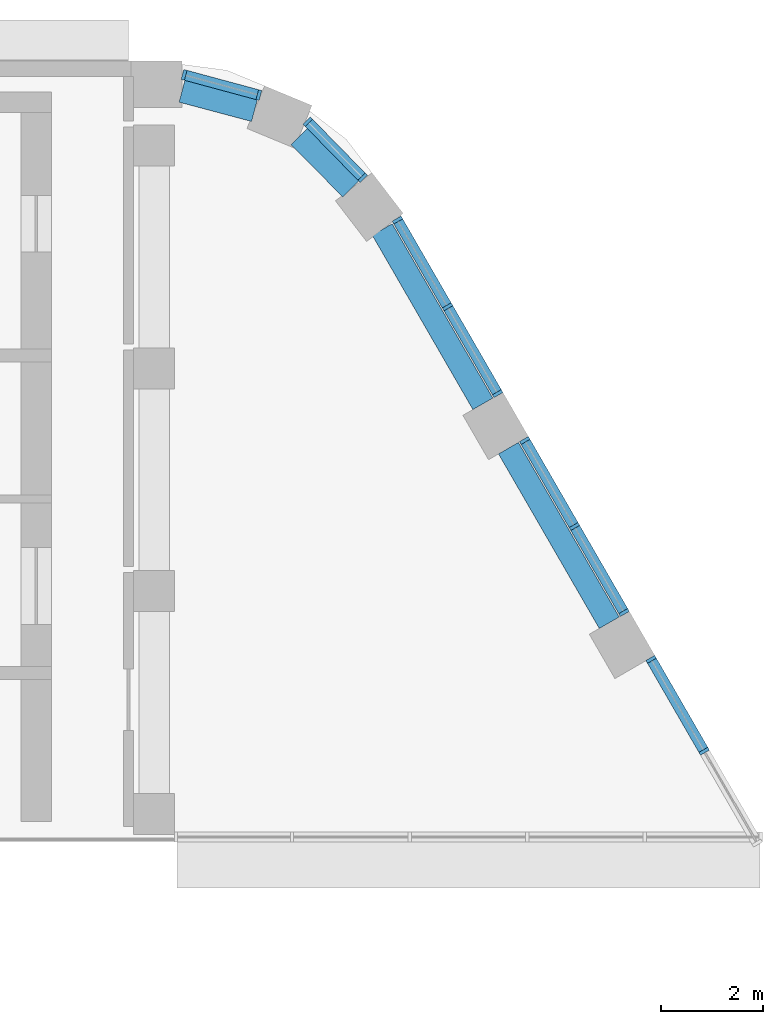
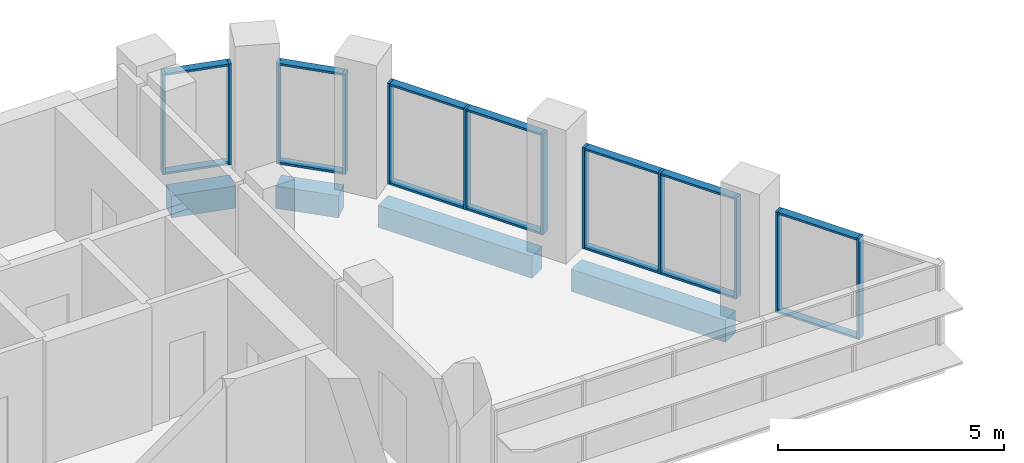
# One storey, part 7 of 15: 26 members, 4 beams, 5 elements without a shape of their own.
"""IFC4 building model written with IfcOpenShell, lengths in metres."""

from ifc_helpers import new_model, si_unit, direction, frame, origin, origin_2d, place, context, subcontext, project, spatial, rectangle, extrude, material, layer, layer_set, material_profile, profile_set, type_object, element, aggregate, save


model = new_model("IFC4")

# Units and contexts
model_context = context("Model", 3, precision=1e-05, world=origin(), true_north=direction((0.0, 1.0)))
body_context = subcontext(model_context, "Body", "Model", "MODEL_VIEW")
ifc_project = project(units=[si_unit("LENGTHUNIT", "METRE"), si_unit("AREAUNIT", "SQUARE_METRE"), si_unit("VOLUMEUNIT", "CUBIC_METRE"), si_unit("PLANEANGLEUNIT", "RADIAN"), si_unit("MASSUNIT", "GRAM", prefix="KILO")], contexts=[model_context])

# Site, building, storey
site_placement = place(None, origin())
site = spatial("IfcSite", under=ifc_project, at=site_placement, CompositionType="ELEMENT")
building_placement = place(site_placement, origin())
building = spatial("IfcBuilding", under=site, at=building_placement, Name="Nakaniwa Court", CompositionType="ELEMENT")
storey_placement = place(building_placement, frame((0.0, 0.0, 283.199951171875)))
storey = spatial("IfcBuildingStorey", under=building, at=storey_placement, Name="C04", CompositionType="ELEMENT", Elevation=283.199951171875)

# Beams
ifc_material_1 = material(Name="Concrete C80/100", Category="concrete")
ifc_material_profile_1 = material_profile(ifc_material_1, rectangle(XDim=0.449951171875, YDim=0.60009765625, at=origin_2d()), Name="Concrete C80/100 RC 450x600 spandrel beam")
ifc_profile_set_1 = profile_set([ifc_material_profile_1], Name="Concrete C80/100")
beam_type = type_object("IfcBeamType", Name="Concrete C80/100 RC 450x600 spandrel beam", PredefinedType="BEAM", material=ifc_profile_set_1)
beam_1_placement = place(storey_placement, frame((98.889404296875, 91.6826171875, -0.574951171875), z_axis=(-0.500021313302, 0.866013098194, 0.0), x_axis=(-0.866013098194, -0.500021313302, 0.0)))
element("IfcBeam", 1, at=beam_1_placement, inside=storey, type_object=beam_type, Name="SPANDREL BEAM", PredefinedType="BEAM", context=body_context, shape_type="SweptSolid", body=[
    extrude(rectangle(XDim=0.449951171875, YDim=0.60009765625, at=origin_2d()), origin(), (0.0, 0.0, 1.0), 3.936279296875),
])
beam_2_placement = place(storey_placement, frame((96.421142578125, 95.95751953125, -0.574951171875), z_axis=(-0.499958946799, 0.866049104564, 0.0), x_axis=(-0.866049104564, -0.499958946799, 0.0)))
element("IfcBeam", 2, at=beam_2_placement, inside=storey, type_object=beam_type, Name="SPANDREL BEAM", PredefinedType="BEAM", context=body_context, shape_type="SweptSolid", body=[
    extrude(rectangle(XDim=0.449951171875, YDim=0.60009765625, at=origin_2d()), origin(), (0.0, 0.0, 1.0), 3.931884765625),
])
beam_3_placement = place(storey_placement, frame((93.84716796875, 100.156494140625, -0.574951171875), z_axis=(-0.706004380105, 0.708207466265, 0.0), x_axis=(-0.708207466265, -0.706004380105, 0.0)))
element("IfcBeam", 3, at=beam_3_placement, inside=storey, type_object=beam_type, Name="SPANDREL BEAM", PredefinedType="BEAM", context=body_context, shape_type="SweptSolid", body=[
    extrude(rectangle(XDim=0.449951171875, YDim=0.60009765625, at=origin_2d()), origin(), (0.0, 0.0, 1.0), 1.440673828125),
])
beam_4_placement = place(storey_placement, frame((91.96044921875, 101.68994140625, -0.574951171875), z_axis=(-0.966301318257, 0.257413601689, 0.0), x_axis=(-0.257413601689, -0.966301318257, 0.0)))
element("IfcBeam", 4, at=beam_4_placement, inside=storey, type_object=beam_type, Name="SPANDREL BEAM", PredefinedType="BEAM", context=body_context, shape_type="SweptSolid", body=[
    extrude(rectangle(XDim=0.449951171875, YDim=0.60009765625, at=origin_2d()), origin(), (0.0, 0.0, 1.0), 1.46435546875),
])

# Curtain wall, members
ifc_material_2 = material(Name="Black anodised aluminium frame with dark low-E laminated double glazing", Category="aluminium")
ifc_layer = layer(ifc_material_2, 0.199951171875)
ifc_layer_set = layer_set([ifc_layer], Name="Black anodised aluminium frame with dark low-E laminated double glazing")
curtain_wall_type = type_object("IfcCurtainWallType", Name="Crown curtain wall", PredefinedType="NOTDEFINED", material=ifc_layer_set)
curtain_wall_1_placement = place(storey_placement, origin())
curtain_wall_1 = element("IfcCurtainWall", 5, at=curtain_wall_1_placement, inside=storey, type_object=curtain_wall_type, Name="C04 curtain wall CW4 18", PredefinedType="NOTDEFINED")
ifc_material_3 = material(Name="Black anodised aluminium extrusion", Category="aluminium")
ifc_material_profile_2 = material_profile(ifc_material_3, rectangle(XDim=0.199951171875, YDim=0.06494140625, at=origin_2d()), Name="Crown curtain wall mullion 65x200")
ifc_profile_set_2 = profile_set([ifc_material_profile_2], Name="Black anodised aluminium extrusion")
member_type_1 = type_object("IfcMemberType", Name="Crown curtain wall mullion 65x200", PredefinedType="MULLION", material=ifc_profile_set_2)
member_1_placement = place(storey_placement, frame((100.74267578125, 89.172607421875, 0.0), z_axis=(0.0, 0.0, 1.0), x_axis=(-0.866021000852, -0.500007626024, 0.0)))
member_1 = element("IfcMember", 6, at=member_1_placement, type_object=member_type_1, Name="CW4 mullion 2", PredefinedType="MULLION", context=body_context, shape_type="SweptSolid", body=[
    extrude(rectangle(XDim=0.199951171875, YDim=0.06494140625, at=origin_2d()), origin(), (0.0, 0.0, 1.0), 2.72509765625),
])
member_2_placement = place(storey_placement, frame((99.70654296875, 90.967041015625, 0.0), z_axis=(0.0, 0.0, 1.0), x_axis=(-0.866021000852, -0.500007626024, 0.0)))
member_2 = element("IfcMember", 7, at=member_2_placement, type_object=member_type_1, Name="CW4 mullion 3", PredefinedType="MULLION", context=body_context, shape_type="SweptSolid", body=[
    extrude(rectangle(XDim=0.199951171875, YDim=0.06494140625, at=origin_2d()), origin(), (0.0, 0.0, 1.0), 2.72509765625),
])

curtain_wall_2_placement = place(storey_placement, origin())
curtain_wall_2 = element("IfcCurtainWall", 8, at=curtain_wall_2_placement, inside=storey, type_object=curtain_wall_type, Name="C04 curtain wall CW4 19", PredefinedType="NOTDEFINED")
member_3_placement = place(storey_placement, frame((99.17822265625, 91.88232421875, 0.0), z_axis=(0.0, 0.0, 1.0), x_axis=(-0.866033174523, -0.499986540445, 0.0)))
member_3 = element("IfcMember", 9, at=member_3_placement, type_object=member_type_1, Name="CW4 mullion 1", PredefinedType="MULLION", context=body_context, shape_type="SweptSolid", body=[
    extrude(rectangle(XDim=0.199951171875, YDim=0.06494140625, at=origin_2d()), origin(), (0.0, 0.0, 1.0), 2.72509765625),
])
member_4_placement = place(storey_placement, frame((98.208251953125, 93.562255859375, 0.0), z_axis=(0.0, 0.0, 1.0), x_axis=(-0.866033174523, -0.499986540445, 0.0)))
member_4 = element("IfcMember", 10, at=member_4_placement, type_object=member_type_1, Name="CW4 mullion 2", PredefinedType="MULLION", context=body_context, shape_type="SweptSolid", body=[
    extrude(rectangle(XDim=0.199951171875, YDim=0.06494140625, at=origin_2d()), origin(), (0.0, 0.0, 1.0), 2.72509765625),
])
member_5_placement = place(storey_placement, frame((97.238525390625, 95.241943359375, 0.0), z_axis=(0.0, 0.0, 1.0), x_axis=(-0.866033174523, -0.499986540445, 0.0)))
member_5 = element("IfcMember", 11, at=member_5_placement, type_object=member_type_1, Name="CW4 mullion 3", PredefinedType="MULLION", context=body_context, shape_type="SweptSolid", body=[
    extrude(rectangle(XDim=0.199951171875, YDim=0.06494140625, at=origin_2d()), origin(), (0.0, 0.0, 1.0), 2.72509765625),
])

curtain_wall_3_placement = place(storey_placement, origin())
curtain_wall_3 = element("IfcCurtainWall", 12, at=curtain_wall_3_placement, inside=storey, type_object=curtain_wall_type, Name="C04 curtain wall CW4 20", PredefinedType="NOTDEFINED")
member_6_placement = place(storey_placement, frame((96.7099609375, 96.1572265625, 0.0), z_axis=(0.0, 0.0, 1.0), x_axis=(-0.866027822975, -0.499995809815, 0.0)))
member_6 = element("IfcMember", 13, at=member_6_placement, type_object=member_type_1, Name="CW4 mullion 1", PredefinedType="MULLION", context=body_context, shape_type="SweptSolid", body=[
    extrude(rectangle(XDim=0.199951171875, YDim=0.06494140625, at=origin_2d()), origin(), (0.0, 0.0, 1.0), 2.72509765625),
])
member_7_placement = place(storey_placement, frame((95.7314453125, 97.852294921875, 0.0), z_axis=(0.0, 0.0, 1.0), x_axis=(-0.866027822975, -0.499995809815, 0.0)))
member_7 = element("IfcMember", 14, at=member_7_placement, type_object=member_type_1, Name="CW4 mullion 2", PredefinedType="MULLION", context=body_context, shape_type="SweptSolid", body=[
    extrude(rectangle(XDim=0.199951171875, YDim=0.06494140625, at=origin_2d()), origin(), (0.0, 0.0, 1.0), 2.72509765625),
])
member_8_placement = place(storey_placement, frame((94.7529296875, 99.54736328125, 0.0), z_axis=(0.0, 0.0, 1.0), x_axis=(-0.866027822975, -0.499995809815, 0.0)))
member_8 = element("IfcMember", 15, at=member_8_placement, type_object=member_type_1, Name="CW4 mullion 3", PredefinedType="MULLION", context=body_context, shape_type="SweptSolid", body=[
    extrude(rectangle(XDim=0.199951171875, YDim=0.06494140625, at=origin_2d()), origin(), (0.0, 0.0, 1.0), 2.72509765625),
])

curtain_wall_4_placement = place(storey_placement, origin())
curtain_wall_4 = element("IfcCurtainWall", 16, at=curtain_wall_4_placement, inside=storey, type_object=curtain_wall_type, Name="C04 curtain wall CW4 21", PredefinedType="NOTDEFINED")
member_9_placement = place(storey_placement, frame((94.07275390625, 100.373046875, 0.0), z_axis=(0.0, 0.0, 1.0), x_axis=(-0.714886390238, -0.699240623143, 0.0)))
member_9 = element("IfcMember", 17, at=member_9_placement, type_object=member_type_1, Name="CW4 mullion 1", PredefinedType="MULLION", context=body_context, shape_type="SweptSolid", body=[
    extrude(rectangle(XDim=0.199951171875, YDim=0.06494140625, at=origin_2d()), origin(), (0.0, 0.0, 1.0), 2.72509765625),
])
member_10_placement = place(storey_placement, frame((93.000732421875, 101.46875, 0.0), z_axis=(0.0, 0.0, 1.0), x_axis=(-0.714886390238, -0.699240623143, 0.0)))
member_10 = element("IfcMember", 18, at=member_10_placement, type_object=member_type_1, Name="CW4 mullion 2", PredefinedType="MULLION", context=body_context, shape_type="SweptSolid", body=[
    extrude(rectangle(XDim=0.199951171875, YDim=0.06494140625, at=origin_2d()), origin(), (0.0, 0.0, 1.0), 2.72509765625),
])

curtain_wall_5_placement = place(storey_placement, origin())
curtain_wall_5 = element("IfcCurtainWall", 19, at=curtain_wall_5_placement, inside=storey, type_object=curtain_wall_type, Name="C04 curtain wall CW4 22", PredefinedType="NOTDEFINED")
member_11_placement = place(storey_placement, frame((92.046142578125, 101.98779296875, 0.0), z_axis=(0.0, 0.0, 1.0), x_axis=(-0.26086432797, -0.965375472235, 0.0)))
member_11 = element("IfcMember", 20, at=member_11_placement, type_object=member_type_1, Name="CW4 mullion 1", PredefinedType="MULLION", context=body_context, shape_type="SweptSolid", body=[
    extrude(rectangle(XDim=0.199951171875, YDim=0.06494140625, at=origin_2d()), origin(), (0.0, 0.0, 1.0), 2.72509765625),
])
member_12_placement = place(storey_placement, frame((90.585693359375, 102.38232421875, 0.0), z_axis=(0.0, 0.0, 1.0), x_axis=(-0.26086432797, -0.965375472235, 0.0)))
member_12 = element("IfcMember", 21, at=member_12_placement, type_object=member_type_1, Name="CW4 mullion 2", PredefinedType="MULLION", context=body_context, shape_type="SweptSolid", body=[
    extrude(rectangle(XDim=0.199951171875, YDim=0.06494140625, at=origin_2d()), origin(), (0.0, 0.0, 1.0), 2.72509765625),
])

# Member
ifc_material_profile_3 = material_profile(ifc_material_3, rectangle(XDim=0.199951171875, YDim=0.054931640625, at=origin_2d()), Name="Crown curtain wall transom 55x200")
ifc_profile_set_3 = profile_set([ifc_material_profile_3], Name="Black anodised aluminium extrusion")
member_type_2 = type_object("IfcMemberType", Name="Crown curtain wall transom 55x200", PredefinedType="USERDEFINED", material=ifc_profile_set_3)
member_13_placement = place(storey_placement, frame((100.7265625, 89.20068359375, 0.027587890625), z_axis=(-0.500024272756, 0.866011389449, 0.0), x_axis=(-0.866011389449, -0.500024272756, 0.0)))
member_13 = element("IfcMember", 22, at=member_13_placement, type_object=member_type_2, Name="CW4 transom 2.1", ObjectType="TRANSOM", PredefinedType="USERDEFINED", context=body_context, shape_type="SweptSolid", body=[
    extrude(rectangle(XDim=0.199951171875, YDim=0.054931640625, at=origin_2d()), origin(), (0.0, 0.0, 1.0), 2.00732421875),
])

member_14_placement = place(storey_placement, frame((100.7265625, 89.20068359375, 2.697509765625), z_axis=(-0.500024272756, 0.866011389449, 0.0), x_axis=(-0.866011389449, -0.500024272756, 0.0)))
member_14 = element("IfcMember", 23, at=member_14_placement, type_object=member_type_2, Name="CW4 transom 2.2", ObjectType="TRANSOM", PredefinedType="USERDEFINED", context=body_context, shape_type="SweptSolid", body=[
    extrude(rectangle(XDim=0.199951171875, YDim=0.054931640625, at=origin_2d()), origin(), (0.0, 0.0, 1.0), 2.00732421875),
])

aggregate(curtain_wall_1, [member_1, member_2, member_13, member_14])

member_15_placement = place(storey_placement, frame((99.161865234375, 91.910400390625, 0.027587890625), z_axis=(-0.499962952589, 0.86604679206, 0.0), x_axis=(-0.86604679206, -0.499962952589, 0.0)))
member_15 = element("IfcMember", 24, at=member_15_placement, type_object=member_type_2, Name="CW4 transom 1.1", ObjectType="TRANSOM", PredefinedType="USERDEFINED", context=body_context, shape_type="SweptSolid", body=[
    extrude(rectangle(XDim=0.199951171875, YDim=0.054931640625, at=origin_2d()), origin(), (0.0, 0.0, 1.0), 1.874755859375),
])

member_16_placement = place(storey_placement, frame((99.161865234375, 91.910400390625, 2.697509765625), z_axis=(-0.499962952589, 0.86604679206, 0.0), x_axis=(-0.86604679206, -0.499962952589, 0.0)))
member_16 = element("IfcMember", 25, at=member_16_placement, type_object=member_type_2, Name="CW4 transom 1.2", ObjectType="TRANSOM", PredefinedType="USERDEFINED", context=body_context, shape_type="SweptSolid", body=[
    extrude(rectangle(XDim=0.199951171875, YDim=0.054931640625, at=origin_2d()), origin(), (0.0, 0.0, 1.0), 1.874755859375),
])

member_17_placement = place(storey_placement, frame((98.192138671875, 93.59033203125, 0.027587890625), z_axis=(-0.499962952589, 0.86604679206, 0.0), x_axis=(-0.86604679206, -0.499962952589, 0.0)))
member_17 = element("IfcMember", 26, at=member_17_placement, type_object=member_type_2, Name="CW4 transom 2.1", ObjectType="TRANSOM", PredefinedType="USERDEFINED", context=body_context, shape_type="SweptSolid", body=[
    extrude(rectangle(XDim=0.199951171875, YDim=0.054931640625, at=origin_2d()), origin(), (0.0, 0.0, 1.0), 1.874755859375),
])

member_18_placement = place(storey_placement, frame((98.192138671875, 93.59033203125, 2.697509765625), z_axis=(-0.499962952589, 0.86604679206, 0.0), x_axis=(-0.86604679206, -0.499962952589, 0.0)))
member_18 = element("IfcMember", 27, at=member_18_placement, type_object=member_type_2, Name="CW4 transom 2.2", ObjectType="TRANSOM", PredefinedType="USERDEFINED", context=body_context, shape_type="SweptSolid", body=[
    extrude(rectangle(XDim=0.199951171875, YDim=0.054931640625, at=origin_2d()), origin(), (0.0, 0.0, 1.0), 1.874755859375),
])

aggregate(curtain_wall_2, [member_3, member_4, member_5, member_15, member_16, member_17, member_18])

member_19_placement = place(storey_placement, frame((96.69384765625, 96.185302734375, 0.027587890625), z_axis=(-0.499927200086, 0.866067430755, 0.0), x_axis=(-0.866067430755, -0.499927200086, 0.0)))
member_19 = element("IfcMember", 28, at=member_19_placement, type_object=member_type_2, Name="CW4 transom 1.1", ObjectType="TRANSOM", PredefinedType="USERDEFINED", context=body_context, shape_type="SweptSolid", body=[
    extrude(rectangle(XDim=0.199951171875, YDim=0.054931640625, at=origin_2d()), origin(), (0.0, 0.0, 1.0), 1.892333984375),
])

member_20_placement = place(storey_placement, frame((96.69384765625, 96.185302734375, 2.697509765625), z_axis=(-0.499927200086, 0.866067430755, 0.0), x_axis=(-0.866067430755, -0.499927200086, 0.0)))
member_20 = element("IfcMember", 29, at=member_20_placement, type_object=member_type_2, Name="CW4 transom 1.2", ObjectType="TRANSOM", PredefinedType="USERDEFINED", context=body_context, shape_type="SweptSolid", body=[
    extrude(rectangle(XDim=0.199951171875, YDim=0.054931640625, at=origin_2d()), origin(), (0.0, 0.0, 1.0), 1.892333984375),
])

member_21_placement = place(storey_placement, frame((95.715087890625, 97.88037109375, 0.027587890625), z_axis=(-0.499983064336, 0.866035181374, 0.0), x_axis=(-0.866035181374, -0.499983064336, 0.0)))
member_21 = element("IfcMember", 30, at=member_21_placement, type_object=member_type_2, Name="CW4 transom 2.1", ObjectType="TRANSOM", PredefinedType="USERDEFINED", context=body_context, shape_type="SweptSolid", body=[
    extrude(rectangle(XDim=0.199951171875, YDim=0.054931640625, at=origin_2d()), origin(), (0.0, 0.0, 1.0), 1.89208984375),
])

member_22_placement = place(storey_placement, frame((95.715087890625, 97.88037109375, 2.697509765625), z_axis=(-0.499983064336, 0.866035181374, 0.0), x_axis=(-0.866035181374, -0.499983064336, 0.0)))
member_22 = element("IfcMember", 31, at=member_22_placement, type_object=member_type_2, Name="CW4 transom 2.2", ObjectType="TRANSOM", PredefinedType="USERDEFINED", context=body_context, shape_type="SweptSolid", body=[
    extrude(rectangle(XDim=0.199951171875, YDim=0.054931640625, at=origin_2d()), origin(), (0.0, 0.0, 1.0), 1.89208984375),
])

aggregate(curtain_wall_3, [member_6, member_7, member_8, member_19, member_20, member_21, member_22])

member_23_placement = place(storey_placement, frame((94.050048828125, 100.396240234375, 0.027587890625), z_axis=(-0.699331103253, 0.71479787914, 0.0), x_axis=(-0.71479787914, -0.699331103253, 0.0)))
member_23 = element("IfcMember", 32, at=member_23_placement, type_object=member_type_2, Name="CW4 transom 1.1", ObjectType="TRANSOM", PredefinedType="USERDEFINED", context=body_context, shape_type="SweptSolid", body=[
    extrude(rectangle(XDim=0.199951171875, YDim=0.054931640625, at=origin_2d()), origin(), (0.0, 0.0, 1.0), 1.468017578125),
])

member_24_placement = place(storey_placement, frame((94.050048828125, 100.396240234375, 2.697509765625), z_axis=(-0.699331103253, 0.71479787914, 0.0), x_axis=(-0.71479787914, -0.699331103253, 0.0)))
member_24 = element("IfcMember", 33, at=member_24_placement, type_object=member_type_2, Name="CW4 transom 1.2", ObjectType="TRANSOM", PredefinedType="USERDEFINED", context=body_context, shape_type="SweptSolid", body=[
    extrude(rectangle(XDim=0.199951171875, YDim=0.054931640625, at=origin_2d()), origin(), (0.0, 0.0, 1.0), 1.468017578125),
])

aggregate(curtain_wall_4, [member_9, member_10, member_23, member_24])

member_25_placement = place(storey_placement, frame((92.014892578125, 101.996337890625, 0.027587890625), z_axis=(-0.965376018657, 0.260862305828, 0.0), x_axis=(-0.260862305828, -0.965376018657, 0.0)))
member_25 = element("IfcMember", 34, at=member_25_placement, type_object=member_type_2, Name="CW4 transom 1.1", ObjectType="TRANSOM", PredefinedType="USERDEFINED", context=body_context, shape_type="SweptSolid", body=[
    extrude(rectangle(XDim=0.199951171875, YDim=0.054931640625, at=origin_2d()), origin(), (0.0, 0.0, 1.0), 1.44775390625),
])

member_26_placement = place(storey_placement, frame((92.014892578125, 101.996337890625, 2.697509765625), z_axis=(-0.965376018657, 0.260862305828, 0.0), x_axis=(-0.260862305828, -0.965376018657, 0.0)))
member_26 = element("IfcMember", 35, at=member_26_placement, type_object=member_type_2, Name="CW4 transom 1.2", ObjectType="TRANSOM", PredefinedType="USERDEFINED", context=body_context, shape_type="SweptSolid", body=[
    extrude(rectangle(XDim=0.199951171875, YDim=0.054931640625, at=origin_2d()), origin(), (0.0, 0.0, 1.0), 1.44775390625),
])

aggregate(curtain_wall_5, [member_11, member_12, member_25, member_26])

save(model, "model.ifc")
